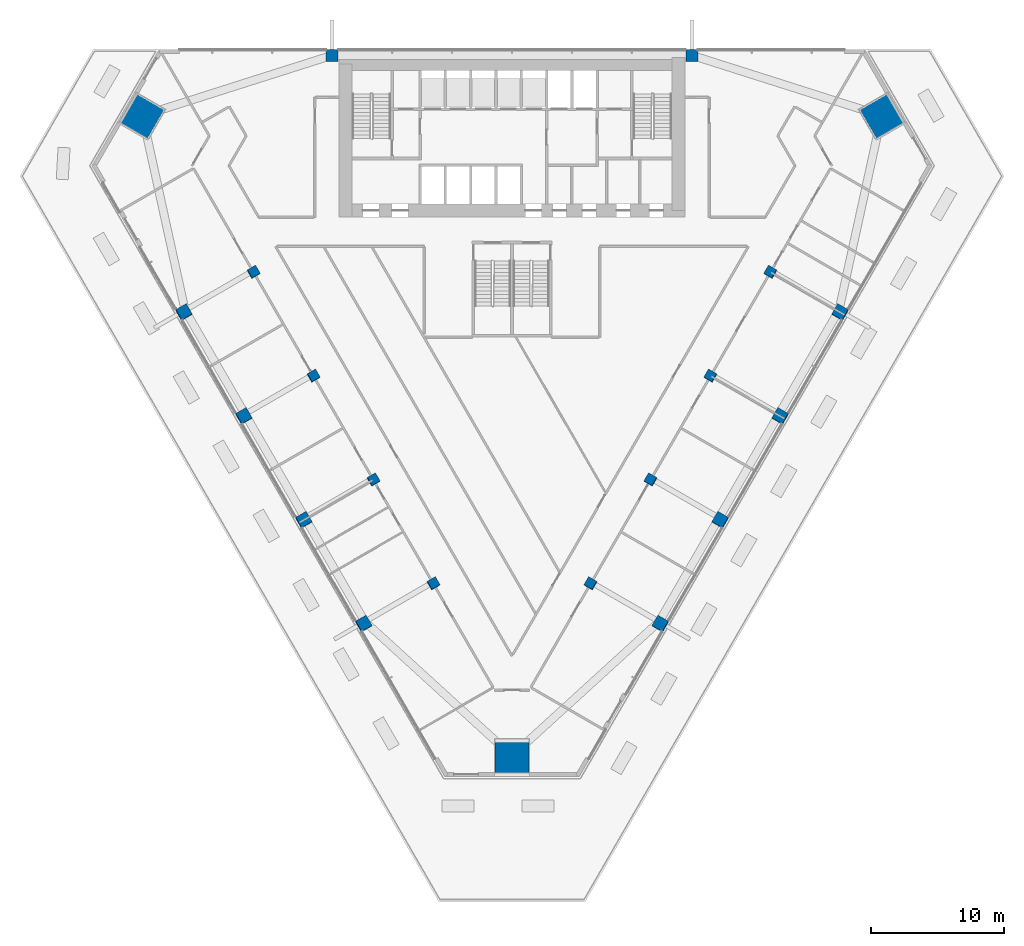
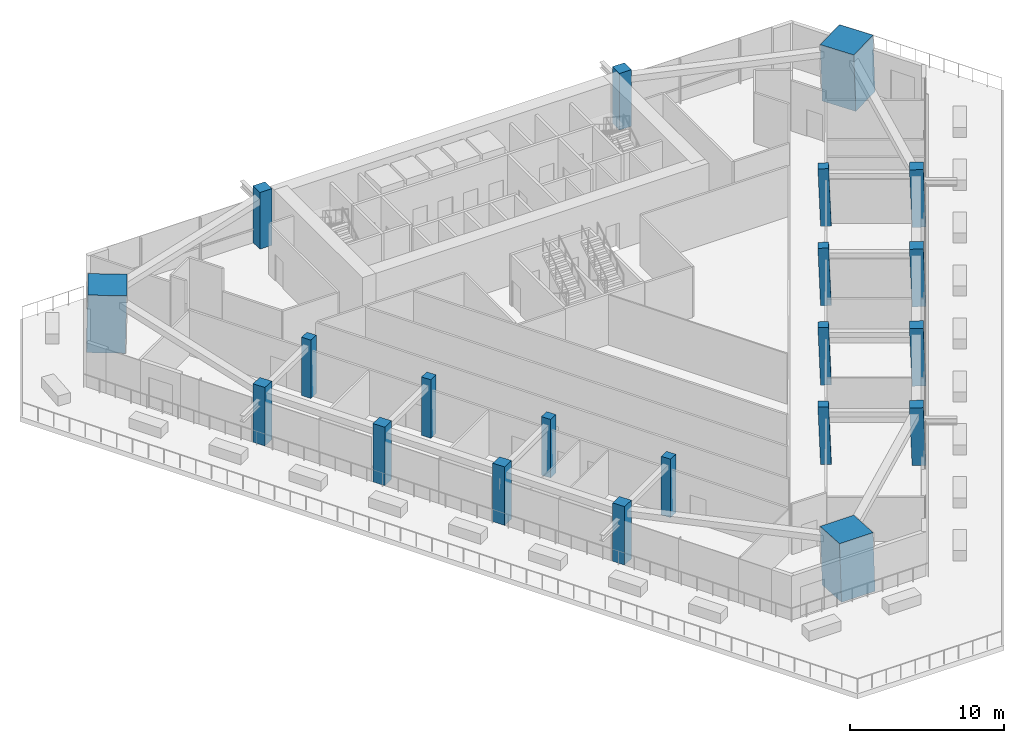
# One storey, part 1 of 15: 21 columns.
"""IFC4 building model written with IfcOpenShell, lengths in metres."""

from ifc_helpers import new_model, si_unit, direction, frame, origin, origin_2d, place, context, subcontext, project, spatial, rectangle, extrude, material, material_profile, profile_set, type_object, element, save


model = new_model("IFC4")

# Units and contexts
model_context = context("Model", 3, precision=1e-05, world=origin(), true_north=direction((0.0, 1.0)))
body_context = subcontext(model_context, "Body", "Model", "MODEL_VIEW")
ifc_project = project(units=[si_unit("LENGTHUNIT", "METRE"), si_unit("AREAUNIT", "SQUARE_METRE"), si_unit("VOLUMEUNIT", "CUBIC_METRE"), si_unit("PLANEANGLEUNIT", "RADIAN"), si_unit("MASSUNIT", "GRAM", prefix="KILO")], contexts=[model_context])

# Site, building, storey
site_placement = place(None, origin())
site = spatial("IfcSite", under=ifc_project, at=site_placement, CompositionType="ELEMENT")
building_placement = place(site_placement, origin())
building = spatial("IfcBuilding", under=site, at=building_placement, Name="Altiplano Prism Tower", CompositionType="ELEMENT")
storey_placement = place(building_placement, frame((0.0, 0.0, 22.5)))
storey = spatial("IfcBuildingStorey", under=building, at=storey_placement, Name="L04", CompositionType="ELEMENT", Elevation=22.5)

# Columns
ifc_material_1 = material(Name="Concrete C60/75", Category="concrete")
ifc_material_profile_1 = material_profile(ifc_material_1, rectangle(XDim=0.699951171875, YDim=0.699951171875, at=origin_2d()), Name="Inner column 700")
ifc_profile_set_1 = profile_set([ifc_material_profile_1], Name="Concrete C60/75")
column_type_1 = type_object("IfcColumnType", Name="Inner column 700", PredefinedType="COLUMN", material=ifc_profile_set_1)
for number, where, z_axis, x_axis, name in (
    (1, (65.59228515625, 88.267333984375, -0.021240234375), (0.022167823514, 0.038427840761, 0.999015459668), (-0.865414952553, -0.499580687745, 0.038419999089), "Inner column I11 L04"),
    (2, (70.09228515625, 80.47314453125, -0.021240234375), (0.022167823514, 0.038427840761, 0.999015459668), (-0.865418010316, -0.499575401219, 0.03841986359), "Inner column I12 L04"),
    (3, (74.59228515625, 72.678955078125, -0.021240234375), (0.022167823514, 0.038427840761, 0.999015459668), (-0.865419250884, -0.499573256394, 0.038419808615), "Inner column I13 L04"),
    (4, (79.09228515625, 64.884765625, -0.021240234375), (0.022167823514, 0.038427840761, 0.999015459668), (-0.865415861149, -0.499579116894, 0.038419958826), "Inner column I14 L04"),
    (5, (90.90771484375, 64.884765625, -0.021240234375), (-0.022167823514, 0.038427840761, 0.999015459668), (-0.500563657164, -0.865415511196, 0.02218148121), "Inner column I21 L04"),
    (6, (95.40771484375, 72.678955078125, -0.021240234375), (-0.022167823514, 0.038427840761, 0.999015459668), (-0.500557796662, -0.865418894264, 0.022181741384), "Inner column I22 L04"),
    (7, (99.90771484375, 80.47314453125, -0.021240234375), (-0.022167823514, 0.038427840761, 0.999015459668), (-0.500559941488, -0.865417656136, 0.022181646166), "Inner column I23 L04"),
    (8, (104.40771484375, 88.267333984375, -0.021240234375), (-0.022167823514, 0.038427840761, 0.999015459668), (-0.500557796662, -0.865418894264, 0.022181741384), "Inner column I24 L04"),
):
    element("IfcColumn", number, at=place(storey_placement, frame(where, z_axis=z_axis, x_axis=x_axis)), inside=storey, type_object=column_type_1, Name=name, PredefinedType="COLUMN", context=body_context, shape_type="SweptSolid", body=[
        extrude(rectangle(XDim=0.699951171875, YDim=0.699951171875, at=origin_2d()), origin(), (0.0, 0.0, 1.0), 4.50439453125),
    ])
ifc_material_2 = material(Name="Concrete C70/85", Category="concrete")
ifc_material_profile_2 = material_profile(ifc_material_2, rectangle(XDim=2.52001953125, YDim=2.52001953125, at=origin_2d()), Name="Mega column infill 2600")
ifc_profile_set_2 = profile_set([ifc_material_profile_2], Name="Concrete C70/85")
column_type_2 = type_object("IfcColumnType", Name="Mega column infill 2600", PredefinedType="COLUMN", material=ifc_profile_set_2)
column_1_placement = place(storey_placement, frame((57.125, 99.978271484375, 0.0), z_axis=(0.028361945142, 0.009218987905, 0.999555206244), x_axis=(-0.865334335433, 0.500798463027, 0.019934576753)))
element("IfcColumn", 9, at=column_1_placement, inside=storey, type_object=column_type_2, Name="Mega column M0 L04", PredefinedType="COLUMN", context=body_context, shape_type="SweptSolid", body=[
    extrude(rectangle(XDim=2.52001953125, YDim=2.52001953125, at=origin_2d()), origin(), (0.0, 0.0, 1.0), 4.501953125),
])
column_2_placement = place(storey_placement, frame((85.0, 51.697265625, 0.0), z_axis=(0.0, 0.058331497301, 0.998297268564), x_axis=(-1.0, 0.0, 0.0)))
element("IfcColumn", 10, at=column_2_placement, inside=storey, type_object=column_type_2, Name="Mega column M1 L04", PredefinedType="COLUMN", context=body_context, shape_type="SweptSolid", body=[
    extrude(rectangle(XDim=2.52001953125, YDim=2.52001953125, at=origin_2d()), origin(), (0.0, 0.0, 1.0), 4.507568359375),
])
column_3_placement = place(storey_placement, frame((112.875, 99.978271484375, 0.0), z_axis=(-0.028361945142, 0.009218987905, 0.999555206244), x_axis=(0.500391934376, -0.865514823496, 0.022181125308)))
element("IfcColumn", 11, at=column_3_placement, inside=storey, type_object=column_type_2, Name="Mega column M2 L04", PredefinedType="COLUMN", context=body_context, shape_type="SweptSolid", body=[
    extrude(rectangle(XDim=2.52001953125, YDim=2.52001953125, at=origin_2d()), origin(), (0.0, 0.0, 1.0), 4.501953125),
])
ifc_material_profile_3 = material_profile(ifc_material_1, rectangle(XDim=0.89990234375, YDim=0.89990234375, at=origin_2d()), Name="Perimeter column 900")
ifc_profile_set_3 = profile_set([ifc_material_profile_3], Name="Concrete C60/75")
column_type_3 = type_object("IfcColumnType", Name="Perimeter column 900", PredefinedType="COLUMN", material=ifc_profile_set_3)
for number, where, z_axis, x_axis, name in (
    (12, (98.5, 104.550048828125, 0.0), (0.0, 0.0, 1.0), (1.0, 0.0, 0.0), "Perimeter column P01 L04"),
    (13, (71.5, 104.550048828125, 0.0), (0.0, 0.0, 1.0), (1.0, 0.0, 0.0), "Perimeter column P04 L04"),
):
    element("IfcColumn", number, at=place(storey_placement, frame(where, z_axis=z_axis, x_axis=x_axis)), inside=storey, type_object=column_type_3, Name=name, PredefinedType="COLUMN", context=body_context, shape_type="SweptSolid", body=[
        extrude(rectangle(XDim=0.89990234375, YDim=0.89990234375, at=origin_2d()), origin(), (0.0, 0.0, 1.0), 4.5),
    ])
for number, where, z_axis, x_axis, name in (
    (14, (60.3525390625, 85.2421875, -0.02734375), (0.022221996839, 0.038427794534, 0.999014257888), (-0.865944460657, -0.498660506903, 0.038443333782), "Perimeter column P11 L04"),
    (15, (64.8525390625, 77.447998046875, -0.02734375), (0.022221996839, 0.038427794534, 0.999014257888), (-0.865945367585, -0.498658935088, 0.038443293494), "Perimeter column P12 L04"),
    (16, (69.3525390625, 69.653564453125, -0.02734375), (0.022221950523, 0.03848191432, 0.999012175694), (-0.865641062969, -0.499183881233, 0.038483799452), "Perimeter column P13 L04"),
    (17, (73.8525390625, 61.859375, -0.02734375), (0.022221950523, 0.03848191432, 0.999012175694), (-0.865637684577, -0.499189728129, 0.038483949525), "Perimeter column P14 L04"),
    (18, (96.1474609375, 61.859375, -0.02734375), (-0.022221950523, 0.03848191432, 0.999012175694), (-0.50017755243, -0.865637775054, 0.02221842577), "Perimeter column P21 L04"),
    (19, (100.6474609375, 69.653564453125, -0.02734375), (-0.022221950523, 0.03848191432, 0.999012175694), (-0.500171705535, -0.865641146774, 0.022218685706), "Perimeter column P22 L04"),
    (20, (105.1474609375, 77.447998046875, -0.02734375), (-0.022221996839, 0.038427794534, 0.999014257888), (-0.49964467696, -0.865946055516, 0.022195173384), "Perimeter column P23 L04"),
    (21, (109.6474609375, 85.2421875, -0.02734375), (-0.022221996839, 0.038427794534, 0.999014257888), (-0.499642545941, -0.86594728267, 0.022195267989), "Perimeter column P24 L04"),
):
    element("IfcColumn", number, at=place(storey_placement, frame(where, z_axis=z_axis, x_axis=x_axis)), inside=storey, type_object=column_type_3, Name=name, PredefinedType="COLUMN", context=body_context, shape_type="SweptSolid", body=[
        extrude(rectangle(XDim=0.89990234375, YDim=0.89990234375, at=origin_2d()), origin(), (0.0, 0.0, 1.0), 4.50439453125),
    ])

save(model, "model.ifc")
